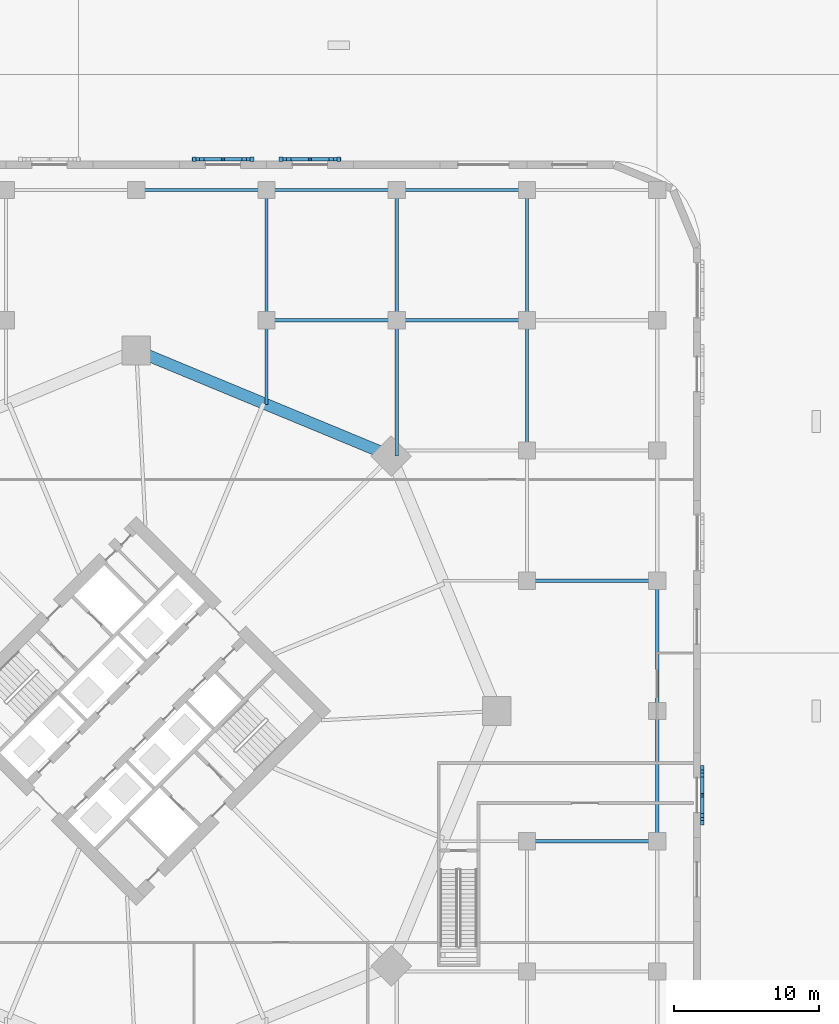
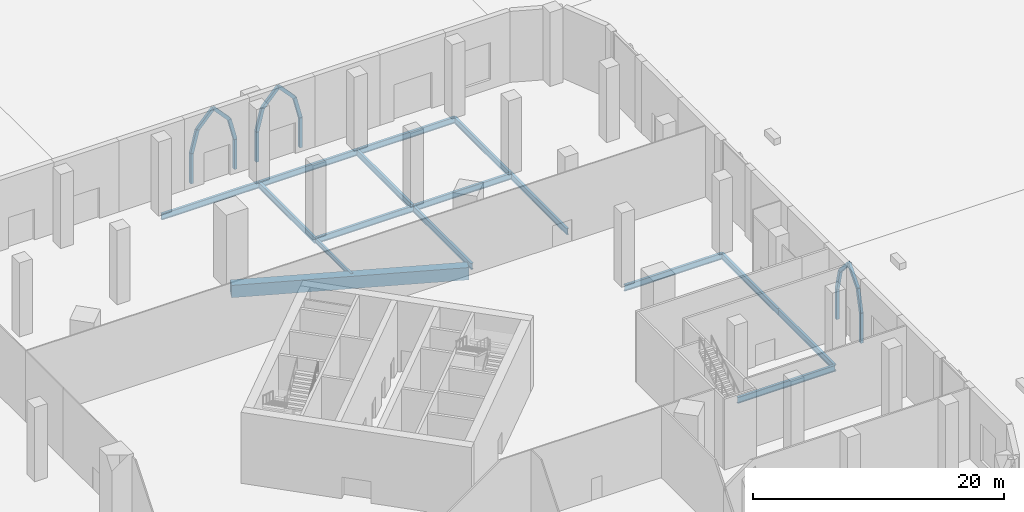
# One storey, part 16 of 48: 18 members, 16 beams.
"""IFC4 building model written with IfcOpenShell, lengths in metres."""

from ifc_helpers import new_model, si_unit, direction, frame, origin, origin_2d, place, context, subcontext, project, spatial, rectangle, hollow_rectangle, i_section, extrude, material, material_profile, profile_set, type_object, element, save


model = new_model("IFC4")

# Units and contexts
model_context = context("Model", 3, precision=1e-05, world=origin(), true_north=direction((0.0, 1.0)))
body_context = subcontext(model_context, "Body", "Model", "MODEL_VIEW")
ifc_project = project(units=[si_unit("LENGTHUNIT", "METRE"), si_unit("AREAUNIT", "SQUARE_METRE"), si_unit("VOLUMEUNIT", "CUBIC_METRE"), si_unit("PLANEANGLEUNIT", "RADIAN"), si_unit("MASSUNIT", "GRAM", prefix="KILO")], contexts=[model_context])

# Site, building, storey
site_placement = place(None, origin())
site = spatial("IfcSite", under=ifc_project, at=site_placement, CompositionType="ELEMENT")
building_placement = place(site_placement, origin())
building = spatial("IfcBuilding", under=site, at=building_placement, Name="Ogive Gate Towers", CompositionType="ELEMENT")
storey_placement = place(building_placement, origin())
storey = spatial("IfcBuildingStorey", under=building, at=storey_placement, Name="L00", CompositionType="ELEMENT", Elevation=0.0)

# Members
ifc_material_1 = material(Name="Precast concrete C40/50", Category="concrete")
ifc_material_profile_1 = material_profile(ifc_material_1, rectangle(XDim=0.25, YDim=0.300048828125, at=origin_2d()), Name="250 x 300 cast stone")
ifc_profile_set_1 = profile_set([ifc_material_profile_1], Name="Precast concrete C40/50")
member_type = type_object("IfcMemberType", Name="Arch rib 250 x 300", PredefinedType="USERDEFINED", material=ifc_profile_set_1)
member_1_placement = place(storey_placement, frame((75.125, -7.727294921875, 0.0), z_axis=(0.0, 0.0, 1.0), x_axis=(1.0, 0.0, 0.0)))
element("IfcMember", 1, at=member_1_placement, inside=storey, type_object=member_type, Name="Arcade arch rib", ObjectType="ARCH RIB", PredefinedType="USERDEFINED", context=body_context, shape_type="SweptSolid", body=[
    extrude(rectangle(XDim=0.25, YDim=0.300048828125, at=origin_2d()), origin(), (0.0, 0.0, 1.0), 2.89990234375),
])
for number, where, z_axis, x_axis, name in (
    (2, (75.125, -7.727294921875, 2.89990234375), (0.0, 0.239840918338, 0.970812203205), (-1.0, 0.0, 0.0), "Arcade arch rib"),
    (3, (75.125, -7.220947265625, 4.949462890625), (0.0, 0.664493031672, 0.74729446061), (-1.0, 0.0, 0.0), "Arcade arch rib"),
):
    element("IfcMember", number, at=place(storey_placement, frame(where, z_axis=z_axis, x_axis=x_axis)), inside=storey, type_object=member_type, Name=name, ObjectType="ARCH RIB", PredefinedType="USERDEFINED", context=body_context, shape_type="SweptSolid", body=[
        extrude(rectangle(XDim=0.25, YDim=0.300048828125, at=origin_2d()), origin(), (0.0, 0.0, 1.0), 2.111083984375),
    ])
member_2_placement = place(storey_placement, frame((75.125, -3.9091796875, 0.0), z_axis=(0.0, 0.0, 1.0), x_axis=(1.0, 0.0, 0.0)))
element("IfcMember", 4, at=member_2_placement, inside=storey, type_object=member_type, Name="Arcade arch rib", ObjectType="ARCH RIB", PredefinedType="USERDEFINED", context=body_context, shape_type="SweptSolid", body=[
    extrude(rectangle(XDim=0.25, YDim=0.300048828125, at=origin_2d()), origin(), (0.0, 0.0, 1.0), 2.89990234375),
])
for number, where, z_axis, x_axis, name in (
    (5, (75.125, -3.9091796875, 2.89990234375), (0.0, -0.239840918338, 0.970812203205), (1.0, 0.0, 0.0), "Arcade arch rib"),
    (6, (75.125, -4.41552734375, 4.949462890625), (0.0, -0.664428442697, 0.747351888026), (1.0, 0.0, 0.0), "Arcade arch rib"),
):
    element("IfcMember", number, at=place(storey_placement, frame(where, z_axis=z_axis, x_axis=x_axis)), inside=storey, type_object=member_type, Name=name, ObjectType="ARCH RIB", PredefinedType="USERDEFINED", context=body_context, shape_type="SweptSolid", body=[
        extrude(rectangle(XDim=0.25, YDim=0.300048828125, at=origin_2d()), origin(), (0.0, 0.0, 1.0), 2.111083984375),
    ])
member_3_placement = place(storey_placement, frame((50.0, 38.125, 0.0), z_axis=(0.0, 0.0, 1.0), x_axis=(1.0, 0.0, 0.0)))
element("IfcMember", 7, at=member_3_placement, inside=storey, type_object=member_type, Name="Arcade arch rib", ObjectType="ARCH RIB", PredefinedType="USERDEFINED", context=body_context, shape_type="SweptSolid", body=[
    extrude(rectangle(XDim=0.25, YDim=0.300048828125, at=origin_2d()), origin(), (0.0, 0.0, 1.0), 2.89990234375),
])
for number, where, z_axis, x_axis, name in (
    (8, (50.0, 38.125, 2.89990234375), (-0.245931792163, 0.0, 0.969287136819), (0.0, -1.0, 0.0), "Arcade arch rib"),
    (9, (49.4677734375, 38.125, 4.99755859375), (-0.678223875113, 0.0, 0.734855343062), (0.0, -1.0, 0.0), "Arcade arch rib"),
):
    element("IfcMember", number, at=place(storey_placement, frame(where, z_axis=z_axis, x_axis=x_axis)), inside=storey, type_object=member_type, Name=name, ObjectType="ARCH RIB", PredefinedType="USERDEFINED", context=body_context, shape_type="SweptSolid", body=[
        extrude(rectangle(XDim=0.25, YDim=0.300048828125, at=origin_2d()), origin(), (0.0, 0.0, 1.0), 2.1640625),
    ])
member_4_placement = place(storey_placement, frame((46.0, 38.125, 0.0), z_axis=(0.0, 0.0, 1.0), x_axis=(1.0, 0.0, 0.0)))
element("IfcMember", 10, at=member_4_placement, inside=storey, type_object=member_type, Name="Arcade arch rib", ObjectType="ARCH RIB", PredefinedType="USERDEFINED", context=body_context, shape_type="SweptSolid", body=[
    extrude(rectangle(XDim=0.25, YDim=0.300048828125, at=origin_2d()), origin(), (0.0, 0.0, 1.0), 2.89990234375),
])
for number, where, z_axis, x_axis, name in (
    (11, (46.0, 38.125, 2.89990234375), (0.245931792163, 0.0, 0.969287136819), (0.0, 1.0, 0.0), "Arcade arch rib"),
    (12, (46.5322265625, 38.125, 4.99755859375), (0.678223875113, 0.0, 0.734855343062), (0.0, 1.0, 0.0), "Arcade arch rib"),
):
    element("IfcMember", number, at=place(storey_placement, frame(where, z_axis=z_axis, x_axis=x_axis)), inside=storey, type_object=member_type, Name=name, ObjectType="ARCH RIB", PredefinedType="USERDEFINED", context=body_context, shape_type="SweptSolid", body=[
        extrude(rectangle(XDim=0.25, YDim=0.300048828125, at=origin_2d()), origin(), (0.0, 0.0, 1.0), 2.1640625),
    ])
member_5_placement = place(storey_placement, frame((44.0, 38.125, 0.0), z_axis=(0.0, 0.0, 1.0), x_axis=(1.0, 0.0, 0.0)))
element("IfcMember", 13, at=member_5_placement, inside=storey, type_object=member_type, Name="Arcade arch rib", ObjectType="ARCH RIB", PredefinedType="USERDEFINED", context=body_context, shape_type="SweptSolid", body=[
    extrude(rectangle(XDim=0.25, YDim=0.300048828125, at=origin_2d()), origin(), (0.0, 0.0, 1.0), 2.89990234375),
])
for number, where, z_axis, x_axis, name in (
    (14, (44.0, 38.125, 2.89990234375), (-0.245931792163, 0.0, 0.969287136819), (0.0, -1.0, 0.0), "Arcade arch rib"),
    (15, (43.4677734375, 38.125, 4.99755859375), (-0.678223875113, 0.0, 0.734855343062), (0.0, -1.0, 0.0), "Arcade arch rib"),
):
    element("IfcMember", number, at=place(storey_placement, frame(where, z_axis=z_axis, x_axis=x_axis)), inside=storey, type_object=member_type, Name=name, ObjectType="ARCH RIB", PredefinedType="USERDEFINED", context=body_context, shape_type="SweptSolid", body=[
        extrude(rectangle(XDim=0.25, YDim=0.300048828125, at=origin_2d()), origin(), (0.0, 0.0, 1.0), 2.1640625),
    ])
member_6_placement = place(storey_placement, frame((40.0, 38.125, 0.0), z_axis=(0.0, 0.0, 1.0), x_axis=(1.0, 0.0, 0.0)))
element("IfcMember", 16, at=member_6_placement, inside=storey, type_object=member_type, Name="Arcade arch rib", ObjectType="ARCH RIB", PredefinedType="USERDEFINED", context=body_context, shape_type="SweptSolid", body=[
    extrude(rectangle(XDim=0.25, YDim=0.300048828125, at=origin_2d()), origin(), (0.0, 0.0, 1.0), 2.89990234375),
])
for number, where, z_axis, x_axis, name in (
    (17, (40.0, 38.125, 2.89990234375), (0.245931792163, 0.0, 0.969287136819), (0.0, 1.0, 0.0), "Arcade arch rib"),
    (18, (40.5322265625, 38.125, 4.99755859375), (0.678223875113, 0.0, 0.734855343062), (0.0, 1.0, 0.0), "Arcade arch rib"),
):
    element("IfcMember", number, at=place(storey_placement, frame(where, z_axis=z_axis, x_axis=x_axis)), inside=storey, type_object=member_type, Name=name, ObjectType="ARCH RIB", PredefinedType="USERDEFINED", context=body_context, shape_type="SweptSolid", body=[
        extrude(rectangle(XDim=0.25, YDim=0.300048828125, at=origin_2d()), origin(), (0.0, 0.0, 1.0), 2.1640625),
    ])

# Beams
ifc_material_2 = material(Name="Steel SM460", Category="steel")
ifc_material_profile_2 = material_profile(ifc_material_2, hollow_rectangle(XDim=0.800048828125, YDim=1.199951171875, WallThickness=0.050048828125, at=origin_2d()), Name="BX 1200x800x50")
ifc_profile_set_2 = profile_set([ifc_material_profile_2], Name="Steel SM460")
beam_type_1 = type_object("IfcBeamType", Name="Edge girder BX 1200x800x50", PredefinedType="BEAM", material=ifc_profile_set_2)
beam_1_placement = place(storey_placement, frame((53.614013671875, 17.614013671875, -0.89990234375), z_axis=(-0.923880736283, 0.382680526191, 0.0), x_axis=(-0.382680526191, -0.923880736283, 0.0)))
element("IfcBeam", 19, at=beam_1_placement, inside=storey, type_object=beam_type_1, Name="T2/L00/SBM021", PredefinedType="BEAM", context=body_context, shape_type="SweptSolid", body=[
    extrude(hollow_rectangle(XDim=0.800048828125, YDim=1.199951171875, WallThickness=0.050048828125, at=origin_2d()), origin(), (0.0, 0.0, 1.0), 19.065185546875),
])
ifc_material_3 = material(Name="Steel SM355", Category="steel")
ifc_material_profile_3 = material_profile(ifc_material_3, i_section(OverallWidth=0.18994140625, OverallDepth=0.449951171875, WebThickness=0.009521484375, FlangeThickness=0.0146484375, FilletRadius=0.02099609375, at=origin_2d()), Name="IPE 450")
ifc_profile_set_3 = profile_set([ifc_material_profile_3], Name="Steel SM355")
beam_type_2 = type_object("IfcBeamType", Name="Floor beam IPE 450", PredefinedType="BEAM", material=ifc_profile_set_3)
beam_2_placement = place(storey_placement, frame((45.0, 27.0, -0.52490234375), z_axis=(0.0, -1.0, 0.0), x_axis=(1.0, 0.0, 0.0)))
element("IfcBeam", 20, at=beam_2_placement, inside=storey, type_object=beam_type_2, Name="PD/L00/SBM166", PredefinedType="BEAM", context=body_context, shape_type="SweptSolid", body=[
    extrude(i_section(OverallWidth=0.18994140625, OverallDepth=0.449951171875, WebThickness=0.009521484375, FlangeThickness=0.0146484375, FilletRadius=0.02099609375, at=origin_2d()), origin(), (0.0, 0.0, 1.0), 5.81787109375),
])
ifc_material_profile_4 = material_profile(ifc_material_3, i_section(OverallWidth=0.219970703125, OverallDepth=0.60009765625, WebThickness=0.011962890625, FlangeThickness=0.01904296875, FilletRadius=0.02392578125, at=origin_2d()), Name="IPE 600")
ifc_profile_set_4 = profile_set([ifc_material_profile_4], Name="Steel SM355")
beam_type_3 = type_object("IfcBeamType", Name="Floor beam IPE 600", PredefinedType="BEAM", material=ifc_profile_set_4)
beam_3_placement = place(storey_placement, frame((45.0, 27.0, -0.60009765625), z_axis=(0.0, 1.0, 0.0), x_axis=(-1.0, 0.0, 0.0)))
element("IfcBeam", 21, at=beam_3_placement, inside=storey, type_object=beam_type_3, Name="PD/L00/SBM054", PredefinedType="BEAM", context=body_context, shape_type="SweptSolid", body=[
    extrude(i_section(OverallWidth=0.219970703125, OverallDepth=0.60009765625, WebThickness=0.011962890625, FlangeThickness=0.01904296875, FilletRadius=0.02392578125, at=origin_2d()), origin(), (0.0, 0.0, 1.0), 9.0),
])
beam_4_placement = place(storey_placement, frame((54.0, 17.614013671875, -0.60009765625), z_axis=(0.0, 1.0, 0.0), x_axis=(-1.0, 0.0, 0.0)))
element("IfcBeam", 22, at=beam_4_placement, inside=storey, type_object=beam_type_3, Name="PD/L00/SBM057", PredefinedType="BEAM", context=body_context, shape_type="SweptSolid", body=[
    extrude(i_section(OverallWidth=0.219970703125, OverallDepth=0.60009765625, WebThickness=0.011962890625, FlangeThickness=0.01904296875, FilletRadius=0.02392578125, at=origin_2d()), origin(), (0.0, 0.0, 1.0), 9.385986328125),
])
for number, where, z_axis, x_axis, name in (
    (23, (54.0, 27.0, -0.60009765625), (0.0, 1.0, 0.0), (-1.0, 0.0, 0.0), "PD/L00/SBM058"),
    (24, (63.0, 18.0, -0.60009765625), (0.0, 1.0, 0.0), (-1.0, 0.0, 0.0), "PD/L00/SBM063"),
    (25, (63.0, 27.0, -0.60009765625), (0.0, 1.0, 0.0), (-1.0, 0.0, 0.0), "PD/L00/SBM064"),
    (26, (72.0, -9.0, -0.60009765625), (0.0, 1.0, 0.0), (-1.0, 0.0, 0.0), "PD/L00/SBM068"),
    (27, (72.0, 0.0, -0.60009765625), (0.0, 1.0, 0.0), (-1.0, 0.0, 0.0), "PD/L00/SBM069"),
    (28, (63.0, -9.0, -0.60009765625), (1.0, 0.0, 0.0), (0.0, 1.0, 0.0), "PD/L00/SBM112"),
    (29, (63.0, 9.0, -0.60009765625), (1.0, 0.0, 0.0), (0.0, 1.0, 0.0), "PD/L00/SBM116"),
    (30, (45.0, 27.0, -0.60009765625), (1.0, 0.0, 0.0), (0.0, 1.0, 0.0), "PD/L00/SBM134"),
    (31, (54.0, 27.0, -0.60009765625), (1.0, 0.0, 0.0), (0.0, 1.0, 0.0), "PD/L00/SBM135"),
    (32, (36.0, 36.0, -0.60009765625), (1.0, 0.0, 0.0), (0.0, 1.0, 0.0), "PD/L00/SBM149"),
    (33, (45.0, 36.0, -0.60009765625), (1.0, 0.0, 0.0), (0.0, 1.0, 0.0), "PD/L00/SBM150"),
    (34, (54.0, 36.0, -0.60009765625), (1.0, 0.0, 0.0), (0.0, 1.0, 0.0), "PD/L00/SBM151"),
):
    element("IfcBeam", number, at=place(storey_placement, frame(where, z_axis=z_axis, x_axis=x_axis)), inside=storey, type_object=beam_type_3, Name=name, PredefinedType="BEAM", context=body_context, shape_type="SweptSolid", body=[
        extrude(i_section(OverallWidth=0.219970703125, OverallDepth=0.60009765625, WebThickness=0.011962890625, FlangeThickness=0.01904296875, FilletRadius=0.02392578125, at=origin_2d()), origin(), (0.0, 0.0, 1.0), 9.0),
    ])

save(model, "model.ifc")
